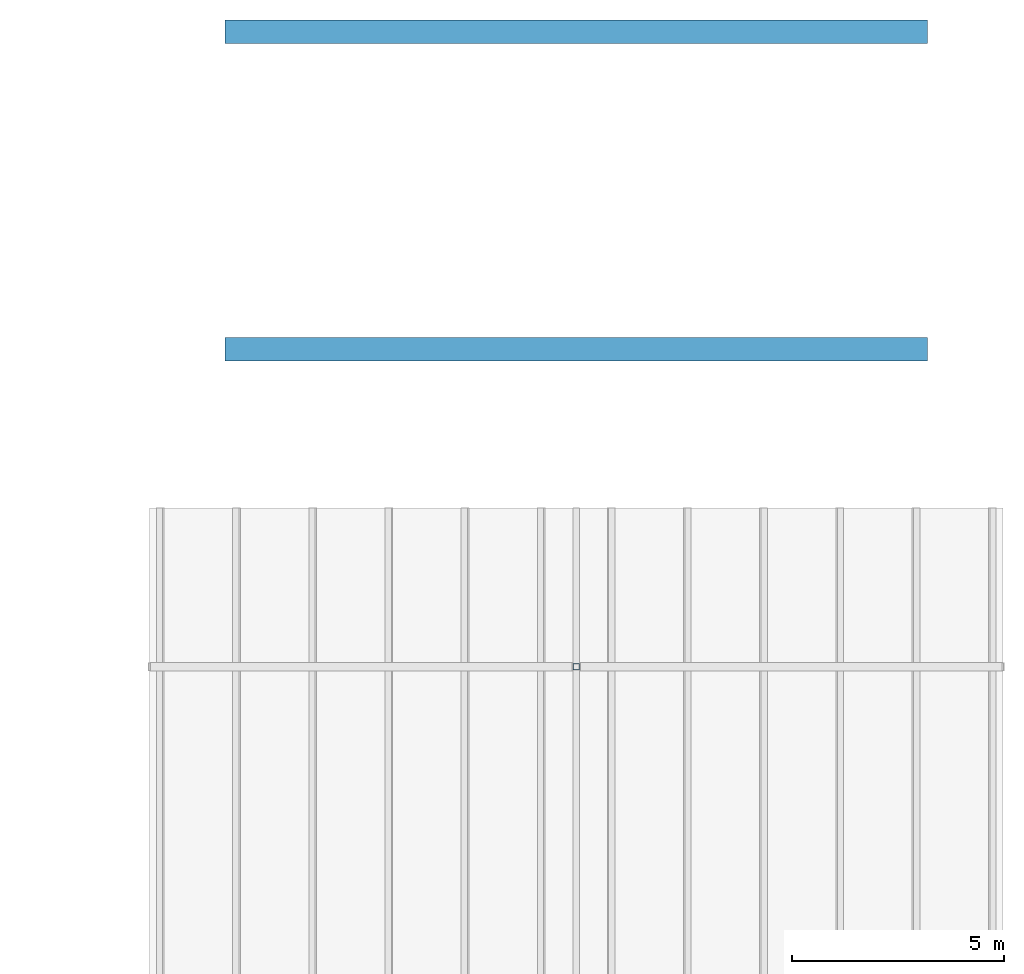
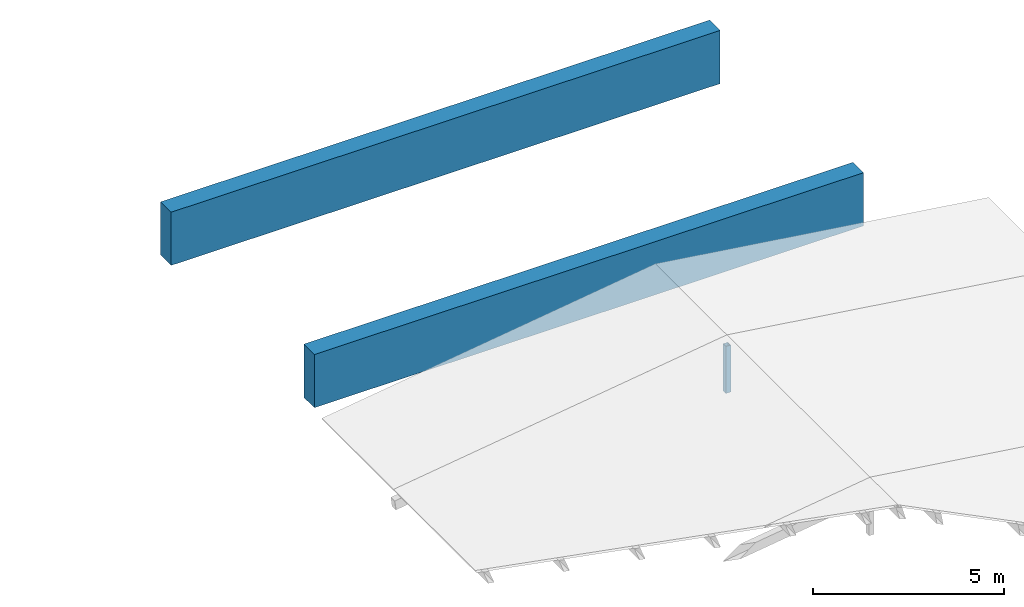
# One storey, part 19 of 52: 2 beams, 1 member.
"""IFC4 building model written with IfcOpenShell, lengths in metres."""

from ifc_helpers import new_model, si_unit, direction, frame, origin, origin_2d, place, context, subcontext, project, spatial, polyline, hollow_rectangle, outline, extrude, material, material_profile, profile_set, type_object, element, save


model = new_model("IFC4")

# Units and contexts
model_context = context("Model", 3, precision=1e-05, world=origin(), true_north=direction((0.0, 1.0)))
body_context = subcontext(model_context, "Body", "Model", "MODEL_VIEW")
ifc_project = project(units=[si_unit("LENGTHUNIT", "METRE"), si_unit("AREAUNIT", "SQUARE_METRE"), si_unit("VOLUMEUNIT", "CUBIC_METRE"), si_unit("PLANEANGLEUNIT", "RADIAN"), si_unit("MASSUNIT", "GRAM", prefix="KILO")], contexts=[model_context])

# Site, building, storey
site_placement = place(None, origin())
site = spatial("IfcSite", under=ifc_project, at=site_placement, CompositionType="ELEMENT")
building_placement = place(site_placement, origin())
building = spatial("IfcBuilding", under=site, at=building_placement, Name="Cour d'Honneur Mobility Palace", CompositionType="ELEMENT")
storey_placement = place(building_placement, frame((0.0, 0.0, 23.0)))
storey = spatial("IfcBuildingStorey", under=building, at=storey_placement, Name="L06", CompositionType="ELEMENT", Elevation=23.0)

# Beams
ifc_material_1 = material(Name="Concrete C45", Category="concrete")
ifc_material_profile_1 = material_profile(ifc_material_1, outline(polyline([(0.27490234375, -1.699951171875), (0.27490234375, 0.0), (-0.27490234375, 0.0), (-0.27490234375, -1.699951171875), (0.27490234375, -1.699951171875)])), Name="Edge Spandrel Beam 550x1700 no ledge plain")
ifc_profile_set_1 = profile_set([ifc_material_profile_1], Name="Concrete C45")
beam_type = type_object("IfcBeamType", Name="Edge Spandrel Beam 550x1700 no ledge plain", PredefinedType="SPANDREL", material=ifc_profile_set_1)
for number, where, z_axis, x_axis, name in (
    (1, (145.300048828125, 107.39990234375, 0.0), (1.0, 0.0, 0.0), (0.0, 1.0, 0.0), "Precast beam B22 19-20 L06"),
    (2, (145.300048828125, 114.89990234375, 0.0), (1.0, 0.0, 0.0), (0.0, 1.0, 0.0), "Precast beam B22 19-20 L06"),
):
    element("IfcBeam", number, at=place(storey_placement, frame(where, z_axis=z_axis, x_axis=x_axis)), inside=storey, type_object=beam_type, Name=name, PredefinedType="SPANDREL", context=body_context, shape_type="SweptSolid", body=[
        extrude(outline(polyline([(0.27490234375, -1.699951171875), (0.27490234375, 0.0), (-0.27490234375, 0.0), (-0.27490234375, -1.699951171875), (0.27490234375, -1.699951171875)])), origin(), (0.0, 0.0, 1.0), 16.599853515625),
    ])

# Member
ifc_material_2 = material(Name="Steel S355", Category="steel")
ifc_material_profile_2 = material_profile(ifc_material_2, hollow_rectangle(XDim=0.14990234375, YDim=0.14990234375, WallThickness=0.008056640625, at=origin_2d()), Name="RHS 150x150x8")
ifc_profile_set_2 = profile_set([ifc_material_profile_2], Name="Steel S355")
member_type = type_object("IfcMemberType", Name="Terrace king post RHS 150x150x8", PredefinedType="STRUT", material=ifc_profile_set_2)
member_placement = place(storey_placement, frame((153.60009765625, 99.89990234375, 0.300048828125), z_axis=(0.0, 0.0, 1.0), x_axis=(1.0, 0.0, 0.0)))
element("IfcMember", 3, at=member_placement, inside=storey, type_object=member_type, Name="Terrace king post TK-S5", PredefinedType="STRUT", context=body_context, shape_type="SweptSolid", body=[
    extrude(hollow_rectangle(XDim=0.14990234375, YDim=0.14990234375, WallThickness=0.008056640625, at=origin_2d()), origin(), (0.0, 0.0, 1.0), 1.5029296875),
])

save(model, "model.ifc")
